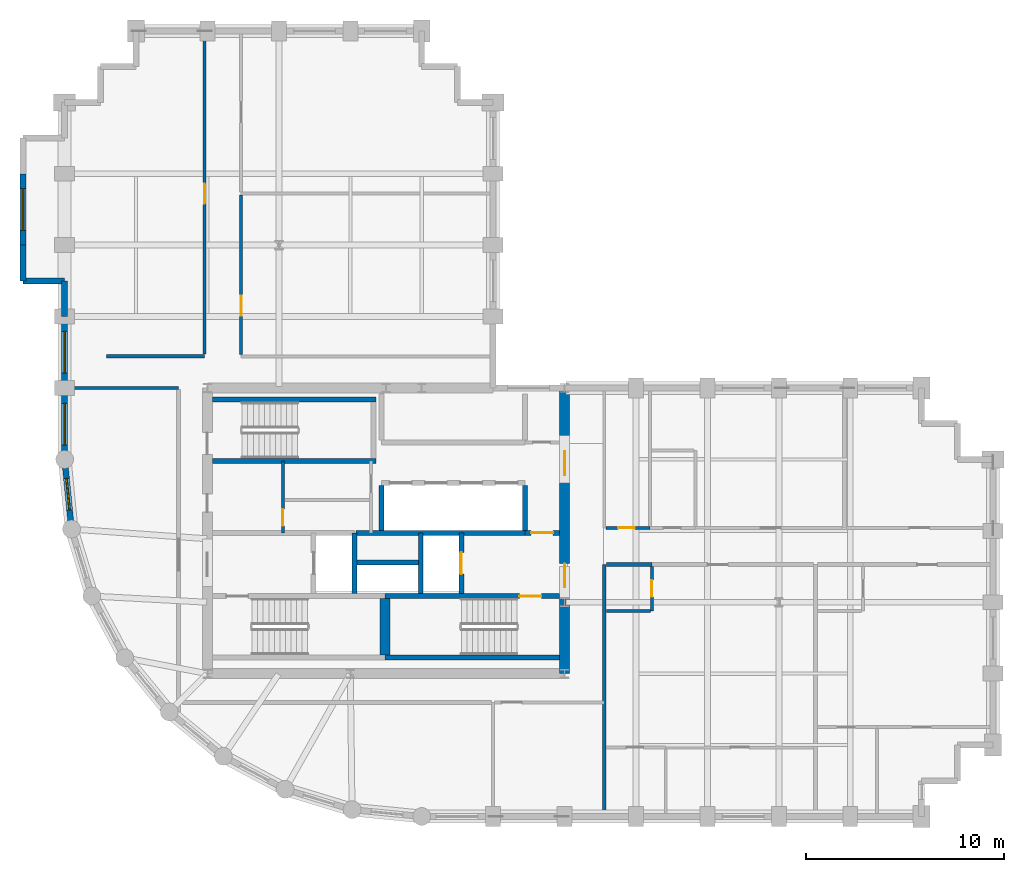
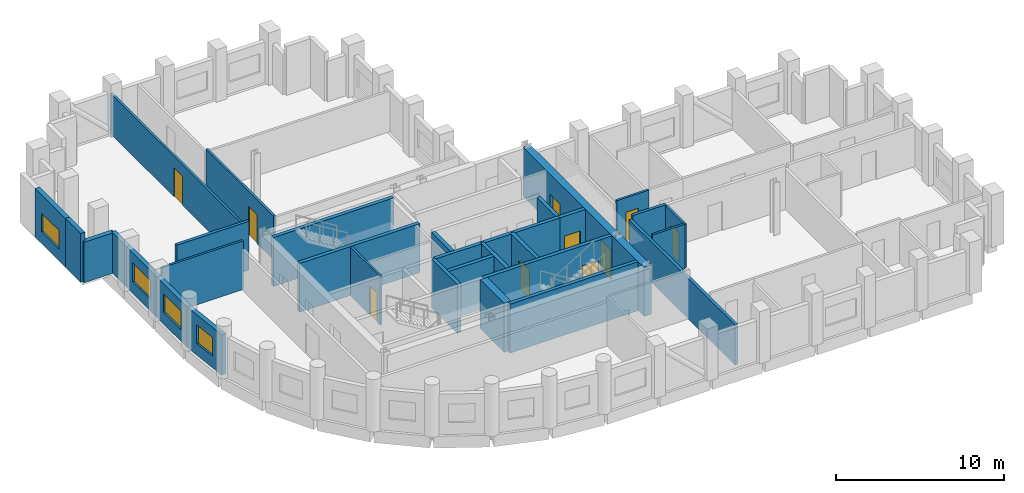
# One storey, part 4 of 8: 31 walls, 10 doors, 4 windows, 14 openings.
"""IFC4 building model written with IfcOpenShell, lengths in metres."""

from ifc_helpers import new_model, si_unit, direction, frame, frame_2d, origin, place, context, subcontext, project, spatial, rectangle, extrude, material, layer, layer_set, type_object, element, fill, save


model = new_model("IFC4")

# Units and contexts
model_context = context("Model", 3, precision=1e-05, world=origin(), true_north=direction((0.0, 1.0)))
body_context = subcontext(model_context, "Body", "Model", "MODEL_VIEW")
ifc_project = project(units=[si_unit("LENGTHUNIT", "METRE"), si_unit("AREAUNIT", "SQUARE_METRE"), si_unit("VOLUMEUNIT", "CUBIC_METRE"), si_unit("PLANEANGLEUNIT", "RADIAN"), si_unit("MASSUNIT", "GRAM", prefix="KILO")], contexts=[model_context])

# Site, building, storey
site_placement = place(None, origin())
site = spatial("IfcSite", under=ifc_project, at=site_placement, CompositionType="ELEMENT")
building_placement = place(site_placement, origin())
building = spatial("IfcBuilding", under=site, at=building_placement, Name="Solnavia Interchange Tower", CompositionType="ELEMENT")
storey_placement = place(building_placement, frame((0.0, 0.0, 161.800048828125)))
storey = spatial("IfcBuildingStorey", under=building, at=storey_placement, Name="L40", CompositionType="ELEMENT", Elevation=161.800048828125)

# Walls
ifc_material_1 = material(Name="Gypsum Acoustic Twin-Stud & Mineral Wool", Category="gypsum")
ifc_layer_1 = layer(ifc_material_1, 0.199951171875)
ifc_layer_set_1 = layer_set([ifc_layer_1], Name="Gypsum Acoustic Twin-Stud & Mineral Wool")
wall_type_1 = type_object("IfcWallType", Name="Wall-ApartmentParty-200", PredefinedType="PARTITIONING", material=ifc_layer_set_1)
wall_1_placement = place(storey_placement, frame((34.39990234375, 3.75390625, 0.0), z_axis=(0.0, 0.0, 1.0), x_axis=(0.0, 1.0, 0.0)))
element("IfcWall", 1, at=wall_1_placement, inside=storey, type_object=wall_type_1, Name="PTW-L40-12 Interior partition wall", PredefinedType="PARTITIONING", context=body_context, shape_type="SweptSolid", body=[
    extrude(rectangle(XDim=12.546142578125, YDim=0.199951171875, at=frame_2d((6.27294921875, 0.0))), origin(), (0.0, 0.0, 1.0), 2.929931640625),
])
wall_2_placement = place(storey_placement, frame((34.50390625, 16.300048828125, 0.0), z_axis=(0.0, 0.0, 1.0), x_axis=(1.0, 0.0, 0.0)))
element("IfcWall", 2, at=wall_2_placement, inside=storey, type_object=wall_type_1, Name="PTW-L40-14 Interior partition wall", PredefinedType="PARTITIONING", context=body_context, shape_type="SweptSolid", body=[
    extrude(rectangle(XDim=2.296142578125, YDim=0.199951171875, at=frame_2d((1.14794921875, 0.0))), origin(), (0.0, 0.0, 1.0), 3.219970703125),
])
wall_3_placement = place(storey_placement, frame((9.300048828125, 26.800048828125, 0.0), z_axis=(0.0, 0.0, 1.0), x_axis=(1.0, 0.0, 0.0)))
element("IfcWall", 3, at=wall_3_placement, inside=storey, type_object=wall_type_1, Name="PTW-L40-31 Interior partition wall", PredefinedType="PARTITIONING", context=body_context, shape_type="SweptSolid", body=[
    extrude(rectangle(XDim=4.949951171875, YDim=0.199951171875, at=frame_2d((2.47509765625, 0.0))), origin(), (0.0, 0.0, 1.0), 3.534912109375),
])

# Wall, opening, window
ifc_material_2 = material(Name="Concrete C40/50", Category="concrete")
ifc_layer_2 = layer(ifc_material_2, 0.300048828125)
ifc_layer_set_2 = layer_set([ifc_layer_2], Name="Concrete C40/50")
wall_type_2 = type_object("IfcWallType", Name="Wall-ExtSpandrel-300", PredefinedType="STANDARD", material=ifc_layer_set_2)
wall_4_placement = place(storey_placement, frame((5.10009765625, 32.39990234375, 0.0), z_axis=(0.0, 0.0, 1.0), x_axis=(0.0, 1.0, 0.0)))
wall_4 = element("IfcWall", 4, at=wall_4_placement, inside=storey, type_object=wall_type_2, Name="EXW-L40-45 Exterior precast spandrel wall", PredefinedType="STANDARD", context=body_context, shape_type="SweptSolid", body=[
    extrude(rectangle(XDim=3.60009765625, YDim=0.300048828125, at=frame_2d((1.800048828125, 0.0))), origin(), (0.0, 0.0, 1.0), 3.534912109375),
])
opening_1_placement = place(wall_4_placement, frame((0.75, 0.0, 0.85009765625)))
opening_1 = element("IfcOpeningElement", 5, at=opening_1_placement, cuts=wall_4, Name="Opening WIN-01", PredefinedType="OPENING", context=body_context, shape_type="SweptSolid", body=[
    extrude(rectangle(XDim=2.10009765625, YDim=1.35009765625, at=frame_2d((1.050048828125, 0.675048828125))), frame((0.0, 0.16015625, 0.0), z_axis=(0.0, -1.0, 0.0), x_axis=(1.0, 0.0, 0.0)), (0.0, 0.0, 1.0), 0.320068359375),
])
ifc_material_3 = material(Name="Thermal-Break Aluminium & Low-E Glass", Category="aluminium")
window_type_1 = type_object("IfcWindowType", Name="Window-Ribbon-2100x1350", PartitioningType="SINGLE_PANEL", PredefinedType="WINDOW", material=ifc_material_3)
window_1_placement = place(opening_1_placement, origin())
window_1 = element("IfcWindow", 6, at=window_1_placement, inside=storey, type_object=window_type_1, Name="WIN-L40-45 Facade ribbon window", OverallHeight=1.35009765625, OverallWidth=2.10009765625, PartitioningType="SINGLE_PANEL", PredefinedType="WINDOW", context=body_context, shape_type="SweptSolid", body=[
    extrude(rectangle(XDim=2.10009765625, YDim=1.35009765625, at=frame_2d((1.050048828125, 0.675048828125))), frame((0.0, 0.030029296875, 0.0), z_axis=(0.0, -1.0, 0.0), x_axis=(1.0, 0.0, 0.0)), (0.0, 0.0, 1.0), 0.06005859375),
])
fill(opening_1, window_1)

# Walls
wall_5_placement = place(storey_placement, frame((5.10009765625, 30.60009765625, 0.0), z_axis=(0.0, 0.0, 1.0), x_axis=(0.0, 1.0, 0.0)))
element("IfcWall", 7, at=wall_5_placement, inside=storey, type_object=wall_type_2, Name="EXW-L40-46 Exterior precast spandrel wall", PredefinedType="STANDARD", context=body_context, shape_type="SweptSolid", body=[
    extrude(rectangle(XDim=1.7998046875, YDim=0.300048828125, at=frame_2d((0.89990234375, 0.0))), origin(), (0.0, 0.0, 1.0), 3.534912109375),
])
wall_6_placement = place(storey_placement, frame((5.10009765625, 30.60009765625, 0.0), z_axis=(0.0, 0.0, 1.0), x_axis=(1.0, 0.0, 0.0)))
element("IfcWall", 8, at=wall_6_placement, inside=storey, type_object=wall_type_2, Name="EXW-L40-47 Exterior precast spandrel wall", PredefinedType="STANDARD", context=body_context, shape_type="SweptSolid", body=[
    extrude(rectangle(XDim=2.099853515625, YDim=0.300048828125, at=frame_2d((1.0498046875, 0.0))), origin(), (0.0, 0.0, 1.0), 2.929931640625),
])
wall_7_placement = place(storey_placement, frame((7.199951171875, 28.800048828125, 0.0), z_axis=(0.0, 0.0, 1.0), x_axis=(0.0, 1.0, 0.0)))
element("IfcWall", 9, at=wall_7_placement, inside=storey, type_object=wall_type_2, Name="EXW-L40-48 Exterior precast spandrel wall", PredefinedType="STANDARD", context=body_context, shape_type="SweptSolid", body=[
    extrude(rectangle(XDim=1.800048828125, YDim=0.300048828125, at=frame_2d((0.89990234375, 0.0))), origin(), (0.0, 0.0, 1.0), 2.929931640625),
])

# Wall, opening, window
wall_8_placement = place(storey_placement, frame((7.199951171875, 25.199951171875, 0.0), z_axis=(0.0, 0.0, 1.0), x_axis=(0.0, 1.0, 0.0)))
wall_8 = element("IfcWall", 10, at=wall_8_placement, inside=storey, type_object=wall_type_2, Name="EXW-L40-49 Exterior precast spandrel wall", PredefinedType="STANDARD", context=body_context, shape_type="SweptSolid", body=[
    extrude(rectangle(XDim=3.60009765625, YDim=0.300048828125, at=frame_2d((1.800048828125, 0.0))), origin(), (0.0, 0.0, 1.0), 2.929931640625),
])
opening_2_placement = place(wall_8_placement, frame((0.75, 0.0, 0.85009765625)))
opening_2 = element("IfcOpeningElement", 11, at=opening_2_placement, cuts=wall_8, Name="Opening WIN-01", PredefinedType="OPENING", context=body_context, shape_type="SweptSolid", body=[
    extrude(rectangle(XDim=2.10009765625, YDim=1.35009765625, at=frame_2d((1.050048828125, 0.675048828125))), frame((0.0, 0.16015625, 0.0), z_axis=(0.0, -1.0, 0.0), x_axis=(1.0, 0.0, 0.0)), (0.0, 0.0, 1.0), 0.320068359375),
])
window_2_placement = place(opening_2_placement, origin())
window_2 = element("IfcWindow", 12, at=window_2_placement, inside=storey, type_object=window_type_1, Name="WIN-L40-49 Facade ribbon window", OverallHeight=1.35009765625, OverallWidth=2.10009765625, PartitioningType="SINGLE_PANEL", PredefinedType="WINDOW", context=body_context, shape_type="SweptSolid", body=[
    extrude(rectangle(XDim=2.10009765625, YDim=1.35009765625, at=frame_2d((1.050048828125, 0.675048828125))), frame((0.0, 0.030029296875, 0.0), z_axis=(0.0, -1.0, 0.0), x_axis=(1.0, 0.0, 0.0)), (0.0, 0.0, 1.0), 0.06005859375),
])
fill(opening_2, window_2)

wall_9_placement = place(storey_placement, frame((7.199951171875, 21.60009765625, 0.0), z_axis=(0.0, 0.0, 1.0), x_axis=(0.0, 1.0, 0.0)))
wall_9 = element("IfcWall", 13, at=wall_9_placement, inside=storey, type_object=wall_type_2, Name="EXW-L40-50 Exterior precast spandrel wall", PredefinedType="STANDARD", context=body_context, shape_type="SweptSolid", body=[
    extrude(rectangle(XDim=3.599853515625, YDim=0.300048828125, at=frame_2d((1.7998046875, 0.0))), origin(), (0.0, 0.0, 1.0), 2.929931640625),
])
opening_3_placement = place(wall_9_placement, frame((0.72509765625, 0.0, 0.85009765625)))
opening_3 = element("IfcOpeningElement", 14, at=opening_3_placement, cuts=wall_9, Name="Opening WIN-01", PredefinedType="OPENING", context=body_context, shape_type="SweptSolid", body=[
    extrude(rectangle(XDim=2.10009765625, YDim=1.35009765625, at=frame_2d((1.050048828125, 0.675048828125))), frame((0.0, 0.16015625, 0.0), z_axis=(0.0, -1.0, 0.0), x_axis=(1.0, 0.0, 0.0)), (0.0, 0.0, 1.0), 0.320068359375),
])
window_3_placement = place(opening_3_placement, origin())
window_3 = element("IfcWindow", 15, at=window_3_placement, inside=storey, type_object=window_type_1, Name="WIN-L40-50 Facade ribbon window", OverallHeight=1.35009765625, OverallWidth=2.10009765625, PartitioningType="SINGLE_PANEL", PredefinedType="WINDOW", context=body_context, shape_type="SweptSolid", body=[
    extrude(rectangle(XDim=2.10009765625, YDim=1.35009765625, at=frame_2d((1.050048828125, 0.675048828125))), frame((0.0, 0.030029296875, 0.0), z_axis=(0.0, -1.0, 0.0), x_axis=(1.0, 0.0, 0.0)), (0.0, 0.0, 1.0), 0.06005859375),
])
fill(opening_3, window_3)

wall_10_placement = place(storey_placement, frame((7.5458984375, 18.087890625, 0.0), z_axis=(0.0, 0.0, 1.0), x_axis=(-0.09802417461, 0.995184033831, 0.0)))
wall_10 = element("IfcWall", 16, at=wall_10_placement, inside=storey, type_object=wall_type_2, Name="EXW-L40-51 Exterior precast spandrel wall", PredefinedType="STANDARD", context=body_context, shape_type="SweptSolid", body=[
    extrude(rectangle(XDim=3.529296875, YDim=0.300048828125, at=frame_2d((1.7646484375, 0.0))), origin(), (0.0, 0.0, 1.0), 2.929931640625),
])
opening_4_placement = place(wall_10_placement, frame((0.965087890625, 0.0, 0.85009765625)))
opening_4 = element("IfcOpeningElement", 17, at=opening_4_placement, cuts=wall_10, Name="Opening WIN-04", PredefinedType="OPENING", context=body_context, shape_type="SweptSolid", body=[
    extrude(rectangle(XDim=1.60009765625, YDim=1.35009765625, at=frame_2d((0.800048828125, 0.675048828125))), frame((0.0, 0.16015625, 0.0), z_axis=(0.0, -1.0, 0.0), x_axis=(1.0, 0.0, 0.0)), (0.0, 0.0, 1.0), 0.320068359375),
])
window_type_2 = type_object("IfcWindowType", Name="Window-Drum-1600x1350", PartitioningType="SINGLE_PANEL", PredefinedType="WINDOW", material=ifc_material_3)
window_4_placement = place(opening_4_placement, origin())
window_4 = element("IfcWindow", 18, at=window_4_placement, inside=storey, type_object=window_type_2, Name="WIN-L40-51 Facade ribbon window", OverallHeight=1.35009765625, OverallWidth=1.60009765625, PartitioningType="SINGLE_PANEL", PredefinedType="WINDOW", context=body_context, shape_type="SweptSolid", body=[
    extrude(rectangle(XDim=1.60009765625, YDim=1.35009765625, at=frame_2d((0.800048828125, 0.675048828125))), frame((0.0, 0.030029296875, 0.0), z_axis=(0.0, -1.0, 0.0), x_axis=(1.0, 0.0, 0.0)), (0.0, 0.0, 1.0), 0.06005859375),
])
fill(opening_4, window_4)

# Wall, opening, door
ifc_material_4 = material(Name="Gypsum Plasterboard & Steel Stud", Category="steel")
ifc_layer_3 = layer(ifc_material_4, 0.14990234375)
ifc_layer_set_3 = layer_set([ifc_layer_3], Name="Gypsum Plasterboard & Steel Stud")
wall_type_3 = type_object("IfcWallType", Name="Wall-Partition-150", PredefinedType="PARTITIONING", material=ifc_layer_set_3)
wall_11_placement = place(storey_placement, frame((18.199951171875, 17.89990234375, 0.0), z_axis=(0.0, 0.0, 1.0), x_axis=(0.0, 1.0, 0.0)))
wall_11 = element("IfcWall", 19, at=wall_11_placement, inside=storey, type_object=wall_type_3, Name="CSW-L40-M1 Core shaft wall", PredefinedType="PARTITIONING", context=body_context, shape_type="SweptSolid", body=[
    extrude(rectangle(XDim=3.625, YDim=0.14990234375, at=frame_2d((1.8125, 0.0))), origin(), (0.0, 0.0, 1.0), 3.534912109375),
])
opening_5_placement = place(wall_11_placement, frame((0.35009765625, 0.0, 0.0)))
opening_5 = element("IfcOpeningElement", 20, at=opening_5_placement, cuts=wall_11, Name="Opening DR-10", PredefinedType="OPENING", context=body_context, shape_type="SweptSolid", body=[
    extrude(rectangle(XDim=0.85009765625, YDim=2.10009765625, at=frame_2d((0.425048828125, 1.050048828125))), frame((0.0, 0.0849609375, 0.0), z_axis=(0.0, -1.0, 0.0), x_axis=(1.0, 0.0, 0.0)), (0.0, 0.0, 1.0), 0.169921875),
])
ifc_material_5 = material(Name="Moisture-Resistant Timber Door", Category="wood")
door_type_1 = type_object("IfcDoorType", Name="Door-Bathroom-850x2100", OperationType="SINGLE_SWING_RIGHT", PredefinedType="DOOR", material=ifc_material_5)
door_1_placement = place(opening_5_placement, origin())
door_1 = element("IfcDoor", 21, at=door_1_placement, inside=storey, type_object=door_type_1, Name="DR-L40-CS2 Core fire door", OperationType="SINGLE_SWING_LEFT", OverallHeight=2.10009765625, OverallWidth=0.85009765625, PredefinedType="DOOR", context=body_context, shape_type="SweptSolid", body=[
    extrude(rectangle(XDim=0.85009765625, YDim=2.10009765625, at=frame_2d((0.425048828125, 1.050048828125))), frame((0.0, 0.02490234375, 0.0), z_axis=(0.0, -1.0, 0.0), x_axis=(1.0, 0.0, 0.0)), (0.0, 0.0, 1.0), 0.050048828125),
])
fill(opening_5, door_1)

# Wall
wall_12_placement = place(storey_placement, frame((7.35400390625, 25.199951171875, 0.0), z_axis=(0.0, 0.0, 1.0), x_axis=(1.0, 0.0, 0.0)))
element("IfcWall", 22, at=wall_12_placement, inside=storey, type_object=wall_type_3, Name="PTW-L40-07 Interior partition wall", PredefinedType="PARTITIONING", context=body_context, shape_type="SweptSolid", body=[
    extrude(rectangle(XDim=5.595947265625, YDim=0.14990234375, at=frame_2d((2.7978515625, 0.0))), origin(), (0.0, 0.0, 1.0), 3.534912109375),
])

# Wall, opening, door
wall_13_placement = place(storey_placement, frame((14.25, 26.904052734375, 0.0), z_axis=(0.0, 0.0, 1.0), x_axis=(0.0, 1.0, 0.0)))
wall_13 = element("IfcWall", 23, at=wall_13_placement, inside=storey, type_object=wall_type_3, Name="PTW-L40-32 Interior partition wall", PredefinedType="PARTITIONING", context=body_context, shape_type="SweptSolid", body=[
    extrude(rectangle(XDim=16.141845703125, YDim=0.14990234375, at=frame_2d((8.07080078125, 0.0))), origin(), (0.0, 0.0, 1.0), 2.929931640625),
])
opening_6_placement = place(wall_13_placement, frame((7.595947265625, 0.0, 0.0)))
opening_6 = element("IfcOpeningElement", 24, at=opening_6_placement, cuts=wall_13, Name="Opening DR-07", PredefinedType="OPENING", context=body_context, shape_type="SweptSolid", body=[
    extrude(rectangle(XDim=1.0, YDim=2.10009765625, at=frame_2d((0.5, 1.050048828125))), frame((0.0, 0.0849609375, 0.0), z_axis=(0.0, -1.0, 0.0), x_axis=(1.0, 0.0, 0.0)), (0.0, 0.0, 1.0), 0.169921875),
])
ifc_material_6 = material(Name="Timber & Acoustic Glazed Office Door", Category="wood")
door_type_2 = type_object("IfcDoorType", Name="Door-Office-1000x2100", OperationType="SINGLE_SWING_RIGHT", PredefinedType="DOOR", material=ifc_material_6)
door_2_placement = place(opening_6_placement, origin())
door_2 = element("IfcDoor", 25, at=door_2_placement, inside=storey, type_object=door_type_2, Name="DR-L40-15 Interior room door", OperationType="SINGLE_SWING_RIGHT", OverallHeight=2.10009765625, OverallWidth=1.0, PredefinedType="DOOR", context=body_context, shape_type="SweptSolid", body=[
    extrude(rectangle(XDim=1.0, YDim=2.10009765625, at=frame_2d((0.5, 1.050048828125))), frame((0.0, 0.02490234375, 0.0), z_axis=(0.0, -1.0, 0.0), x_axis=(1.0, 0.0, 0.0)), (0.0, 0.0, 1.0), 0.050048828125),
])
fill(opening_6, door_2)

wall_14_placement = place(storey_placement, frame((16.10009765625, 26.87890625, 0.0), z_axis=(0.0, 0.0, 1.0), x_axis=(0.0, 1.0, 0.0)))
wall_14 = element("IfcWall", 26, at=wall_14_placement, inside=storey, type_object=wall_type_3, Name="PTW-L40-35 Interior partition wall", PredefinedType="PARTITIONING", context=body_context, shape_type="SweptSolid", body=[
    extrude(rectangle(XDim=8.0419921875, YDim=0.14990234375, at=frame_2d((4.02099609375, 0.0))), origin(), (0.0, 0.0, 1.0), 3.169921875),
])
opening_7_placement = place(wall_14_placement, frame((1.9609375, 0.0, 0.0)))
opening_7 = element("IfcOpeningElement", 27, at=opening_7_placement, cuts=wall_14, Name="Opening DR-07", PredefinedType="OPENING", context=body_context, shape_type="SweptSolid", body=[
    extrude(rectangle(XDim=1.0, YDim=2.10009765625, at=frame_2d((0.5, 1.050048828125))), frame((0.0, 0.0849609375, 0.0), z_axis=(0.0, -1.0, 0.0), x_axis=(1.0, 0.0, 0.0)), (0.0, 0.0, 1.0), 0.169921875),
])
door_3_placement = place(opening_7_placement, origin())
door_3 = element("IfcDoor", 28, at=door_3_placement, inside=storey, type_object=door_type_2, Name="DR-L40-16 Interior room door", OperationType="SINGLE_SWING_LEFT", OverallHeight=2.10009765625, OverallWidth=1.0, PredefinedType="DOOR", context=body_context, shape_type="SweptSolid", body=[
    extrude(rectangle(XDim=1.0, YDim=2.10009765625, at=frame_2d((0.5, 1.050048828125))), frame((0.0, 0.02490234375, 0.0), z_axis=(0.0, -1.0, 0.0), x_axis=(1.0, 0.0, 0.0)), (0.0, 0.0, 1.0), 0.050048828125),
])
fill(opening_7, door_3)

# Wall
ifc_layer_4 = layer(ifc_material_2, 0.25)
ifc_layer_set_4 = layer_set([ifc_layer_4], Name="Concrete C40/50")
wall_type_4 = type_object("IfcWallType", Name="Wall-ShaftCore-250", PredefinedType="SHEAR", material=ifc_layer_set_4)
wall_15_placement = place(storey_placement, frame((23.35009765625, 11.625, 0.0), z_axis=(0.0, 0.0, 1.0), x_axis=(1.0, 0.0, 0.0)))
element("IfcWall", 29, at=wall_15_placement, inside=storey, type_object=wall_type_4, Name="SHW-L40-ST2S Core shear wall", PredefinedType="SHEAR", context=body_context, shape_type="SweptSolid", body=[
    extrude(rectangle(XDim=8.7998046875, YDim=0.25, at=frame_2d((4.39990234375, 0.0))), origin(), (0.0, 0.0, 1.0), 3.550048828125),
])

# Wall, opening, door
wall_16_placement = place(storey_placement, frame((23.35009765625, 14.715087890625, 0.0), z_axis=(0.0, 0.0, 1.0), x_axis=(1.0, 0.0, 0.0)))
wall_16 = element("IfcWall", 30, at=wall_16_placement, inside=storey, type_object=wall_type_4, Name="SHW-L40-ST2N Core shear wall", PredefinedType="SHEAR", context=body_context, shape_type="SweptSolid", body=[
    extrude(rectangle(XDim=8.7998046875, YDim=0.25, at=frame_2d((4.39990234375, 0.0))), origin(), (0.0, 0.0, 1.0), 3.550048828125),
])
opening_8_placement = place(wall_16_placement, frame((6.77490234375, 0.0, 0.0)))
opening_8 = element("IfcOpeningElement", 31, at=opening_8_placement, cuts=wall_16, Name="Opening DR-01", PredefinedType="OPENING", context=body_context, shape_type="SweptSolid", body=[
    extrude(rectangle(XDim=1.10009765625, YDim=2.10009765625, at=frame_2d((0.550048828125, 1.050048828125))), frame((0.0, 0.135009765625, 0.0), z_axis=(0.0, -1.0, 0.0), x_axis=(1.0, 0.0, 0.0)), (0.0, 0.0, 1.0), 0.27001953125),
])
ifc_material_7 = material(Name="Steel Fire-Rated Leaf & Frame", Category="steel")
door_type_3 = type_object("IfcDoorType", Name="Door-StairFire-1100x2100", OperationType="SINGLE_SWING_LEFT", PredefinedType="DOOR", material=ifc_material_7)
door_4_placement = place(opening_8_placement, origin())
door_4 = element("IfcDoor", 32, at=door_4_placement, inside=storey, type_object=door_type_3, Name="DR-L40-ST2 Core fire door", OperationType="SINGLE_SWING_LEFT", OverallHeight=2.10009765625, OverallWidth=1.10009765625, PredefinedType="DOOR", context=body_context, shape_type="SweptSolid", body=[
    extrude(rectangle(XDim=1.10009765625, YDim=2.10009765625, at=frame_2d((0.550048828125, 1.050048828125))), frame((0.0, 0.02490234375, 0.0), z_axis=(0.0, -1.0, 0.0), x_axis=(1.0, 0.0, 0.0)), (0.0, 0.0, 1.0), 0.050048828125),
])
fill(opening_8, door_4)

# Walls
for number, where, z_axis, x_axis, name in (
    (33, (14.64990234375, 21.52490234375, 0.0), (0.0, 0.0, 1.0), (1.0, 0.0, 0.0), "SHW-L40-ST3S Core shear wall"),
    (34, (14.64990234375, 24.614990234375, 0.0), (0.0, 0.0, 1.0), (1.0, 0.0, 0.0), "SHW-L40-ST3N Core shear wall"),
):
    element("IfcWall", number, at=place(storey_placement, frame(where, z_axis=z_axis, x_axis=x_axis)), inside=storey, type_object=wall_type_4, Name=name, PredefinedType="SHEAR", context=body_context, shape_type="SweptSolid", body=[
        extrude(rectangle(XDim=8.25, YDim=0.25, at=frame_2d((4.125, 0.0))), origin(), (0.0, 0.0, 1.0), 3.550048828125),
    ])
ifc_layer_5 = layer(ifc_material_2, 0.25)
ifc_layer_set_5 = layer_set([ifc_layer_5], Name="Concrete C40/50")
wall_type_5 = type_object("IfcWallType", Name="Wall-ShaftPart-250", PredefinedType="PARTITIONING", material=ifc_layer_set_5)
wall_17_placement = place(storey_placement, frame((21.800048828125, 14.840087890625, 0.0), z_axis=(0.0, 0.0, 1.0), x_axis=(0.0, 1.0, 0.0)))
element("IfcWall", 35, at=wall_17_placement, inside=storey, type_object=wall_type_5, Name="SHW-L40-FFL1-E Core shaft wall", PredefinedType="PARTITIONING", context=body_context, shape_type="SweptSolid", body=[
    extrude(rectangle(XDim=3.059814453125, YDim=0.25, at=frame_2d((1.52978515625, 0.0))), origin(), (0.0, 0.0, 1.0), 3.534912109375),
])
wall_18_placement = place(storey_placement, frame((21.8798828125, 17.89990234375, 0.0), z_axis=(0.0, 0.0, 1.0), x_axis=(1.0, 0.0, 0.0)))
element("IfcWall", 36, at=wall_18_placement, inside=storey, type_object=wall_type_5, Name="SHW-L40-FFLE-N1 Core shaft wall", PredefinedType="PARTITIONING", context=body_context, shape_type="SweptSolid", body=[
    extrude(rectangle(XDim=8.52001953125, YDim=0.25, at=frame_2d((4.260009765625, 0.0))), origin(), (0.0, 0.0, 1.0), 3.534912109375),
])

# Wall, opening, door
wall_19_placement = place(storey_placement, frame((30.39990234375, 17.89990234375, 0.0), z_axis=(0.0, 0.0, 1.0), x_axis=(1.0, 0.0, 0.0)))
wall_19 = element("IfcWall", 37, at=wall_19_placement, inside=storey, type_object=wall_type_5, Name="SHW-L40-FFLE-N2 Core shaft wall", PredefinedType="PARTITIONING", context=body_context, shape_type="SweptSolid", body=[
    extrude(rectangle(XDim=1.75, YDim=0.25, at=frame_2d((0.875, 0.0))), origin(), (0.0, 0.0, 1.0), 3.534912109375),
])
opening_9_placement = place(wall_19_placement, frame((0.320068359375, 0.0, 0.0)))
opening_9 = element("IfcOpeningElement", 38, at=opening_9_placement, cuts=wall_19, Name="Opening DR-01", PredefinedType="OPENING", context=body_context, shape_type="SweptSolid", body=[
    extrude(rectangle(XDim=1.10009765625, YDim=2.10009765625, at=frame_2d((0.550048828125, 1.050048828125))), frame((0.0, 0.135009765625, 0.0), z_axis=(0.0, -1.0, 0.0), x_axis=(1.0, 0.0, 0.0)), (0.0, 0.0, 1.0), 0.27001953125),
])
door_5_placement = place(opening_9_placement, origin())
door_5 = element("IfcDoor", 39, at=door_5_placement, inside=storey, type_object=door_type_3, Name="DR-L40-LLC Core fire door", OperationType="SINGLE_SWING_LEFT", OverallHeight=2.10009765625, OverallWidth=1.10009765625, PredefinedType="DOOR", context=body_context, shape_type="SweptSolid", body=[
    extrude(rectangle(XDim=1.10009765625, YDim=2.10009765625, at=frame_2d((0.550048828125, 1.050048828125))), frame((0.0, 0.02490234375, 0.0), z_axis=(0.0, -1.0, 0.0), x_axis=(1.0, 0.0, 0.0)), (0.0, 0.0, 1.0), 0.050048828125),
])
fill(opening_9, door_5)

# Wall
wall_20_placement = place(storey_placement, frame((25.14990234375, 14.840087890625, 0.0), z_axis=(0.0, 0.0, 1.0), x_axis=(0.0, 1.0, 0.0)))
element("IfcWall", 40, at=wall_20_placement, inside=storey, type_object=wall_type_5, Name="SHW-L40-FFL2-W Core shaft wall", PredefinedType="PARTITIONING", context=body_context, shape_type="SweptSolid", body=[
    extrude(rectangle(XDim=3.059814453125, YDim=0.25, at=frame_2d((1.52978515625, 0.0))), origin(), (0.0, 0.0, 1.0), 3.534912109375),
])

# Wall, opening, door
wall_21_placement = place(storey_placement, frame((27.199951171875, 14.840087890625, 0.0), z_axis=(0.0, 0.0, 1.0), x_axis=(0.0, 1.0, 0.0)))
wall_21 = element("IfcWall", 41, at=wall_21_placement, inside=storey, type_object=wall_type_5, Name="SHW-L40-FFL2-E Core shaft wall", PredefinedType="PARTITIONING", context=body_context, shape_type="SweptSolid", body=[
    extrude(rectangle(XDim=3.059814453125, YDim=0.25, at=frame_2d((1.52978515625, 0.0))), origin(), (0.0, 0.0, 1.0), 3.534912109375),
])
opening_10_placement = place(wall_21_placement, frame((0.97998046875, 0.0, 0.0)))
opening_10 = element("IfcOpeningElement", 42, at=opening_10_placement, cuts=wall_21, Name="Opening LD-01", PredefinedType="OPENING", context=body_context, shape_type="SweptSolid", body=[
    extrude(rectangle(XDim=1.10009765625, YDim=2.10009765625, at=frame_2d((0.550048828125, 1.050048828125))), frame((0.0, 0.135009765625, 0.0), z_axis=(0.0, -1.0, 0.0), x_axis=(1.0, 0.0, 0.0)), (0.0, 0.0, 1.0), 0.27001953125),
])
ifc_material_8 = material(Name="Brushed Stainless Steel Sliding Door", Category="steel")
door_type_4 = type_object("IfcDoorType", Name="Door-LiftLanding-1100x2100", OperationType="SLIDING_TO_LEFT", PredefinedType="DOOR", material=ifc_material_8)
door_6_placement = place(opening_10_placement, origin())
door_6 = element("IfcDoor", 43, at=door_6_placement, inside=storey, type_object=door_type_4, Name="LD-L40-FFL2 Lift landing sliding door", OperationType="SLIDING_TO_LEFT", OverallHeight=2.10009765625, OverallWidth=1.10009765625, PredefinedType="DOOR", context=body_context, shape_type="SweptSolid", body=[
    extrude(rectangle(XDim=1.10009765625, YDim=2.10009765625, at=frame_2d((0.550048828125, 1.050048828125))), frame((0.0, 0.02490234375, 0.0), z_axis=(0.0, -1.0, 0.0), x_axis=(1.0, 0.0, 0.0)), (0.0, 0.0, 1.0), 0.050048828125),
])
fill(opening_10, door_6)

# Walls
wall_22_placement = place(storey_placement, frame((21.800048828125, 16.39990234375, 0.0), z_axis=(0.0, 0.0, 1.0), x_axis=(1.0, 0.0, 0.0)))
element("IfcWall", 44, at=wall_22_placement, inside=storey, type_object=wall_type_5, Name="SHW-L40-MEP-N Core shaft wall", PredefinedType="PARTITIONING", context=body_context, shape_type="SweptSolid", body=[
    extrude(rectangle(XDim=3.349853515625, YDim=0.25, at=frame_2d((1.6748046875, 0.0))), origin(), (0.0, 0.0, 1.0), 3.534912109375),
])
for number, where, z_axis, x_axis, name in (
    (45, (23.179931640625, 18.02490234375, 0.0), (0.0, 0.0, 1.0), (0.0, 1.0, 0.0), "SHW-L40-B2W Core shaft wall"),
    (46, (30.39990234375, 18.02490234375, 0.0), (0.0, 0.0, 1.0), (0.0, 1.0, 0.0), "SHW-L40-B2E Core shaft wall"),
):
    element("IfcWall", number, at=place(storey_placement, frame(where, z_axis=z_axis, x_axis=x_axis)), inside=storey, type_object=wall_type_5, Name=name, PredefinedType="PARTITIONING", context=body_context, shape_type="SweptSolid", body=[
        extrude(rectangle(XDim=2.27001953125, YDim=0.25, at=frame_2d((1.135009765625, 0.0))), origin(), (0.0, 0.0, 1.0), 3.534912109375),
    ])

# Wall, openings, doors
ifc_material_9 = material(Name="Concrete C60/75", Category="concrete")
ifc_layer_6 = layer(ifc_material_9, 0.5)
ifc_layer_set_6 = layer_set([ifc_layer_6], Name="Concrete C60/75")
wall_type_6 = type_object("IfcWallType", Name="Wall-ShearCore-500", PredefinedType="SHEAR", material=ifc_layer_set_6)
wall_23_placement = place(storey_placement, frame((32.39990234375, 10.800048828125, 0.0), z_axis=(0.0, 0.0, 1.0), x_axis=(0.0, 1.0, 0.0)))
wall_23 = element("IfcWall", 47, at=wall_23_placement, inside=storey, type_object=wall_type_6, Name="CRW-L40-E Core shear wall", PredefinedType="SHEAR", context=body_context, shape_type="SweptSolid", body=[
    extrude(rectangle(XDim=14.39990234375, YDim=0.5, at=frame_2d((7.199951171875, 0.0))), origin(), (0.0, 0.0, 1.0), 3.550048828125),
])
opening_11_placement = place(wall_23_placement, frame((4.35009765625, 0.0, 0.0)))
opening_11 = element("IfcOpeningElement", 48, at=opening_11_placement, cuts=wall_23, Name="Opening DR-02", PredefinedType="OPENING", context=body_context, shape_type="SweptSolid", body=[
    extrude(rectangle(XDim=1.199951171875, YDim=2.10009765625, at=frame_2d((0.60009765625, 1.050048828125))), frame((0.0, 0.260009765625, 0.0), z_axis=(0.0, -1.0, 0.0), x_axis=(1.0, 0.0, 0.0)), (0.0, 0.0, 1.0), 0.52001953125),
])
opening_12_placement = place(wall_23_placement, frame((10.0, 0.0, 0.0)))
opening_12 = element("IfcOpeningElement", 49, at=opening_12_placement, cuts=wall_23, Name="Opening DR-02", PredefinedType="OPENING", context=body_context, shape_type="SweptSolid", body=[
    extrude(rectangle(XDim=1.199951171875, YDim=2.10009765625, at=frame_2d((0.60009765625, 1.050048828125))), frame((0.0, 0.260009765625, 0.0), z_axis=(0.0, -1.0, 0.0), x_axis=(1.0, 0.0, 0.0)), (0.0, 0.0, 1.0), 0.52001953125),
])
ifc_material_10 = material(Name="Steel Fire-Rated Vision-Panel Door", Category="steel")
door_type_5 = type_object("IfcDoorType", Name="Door-LobbyFire-1200x2100", OperationType="SINGLE_SWING_RIGHT", PredefinedType="DOOR", material=ifc_material_10)
door_7_placement = place(opening_11_placement, origin())
door_7 = element("IfcDoor", 50, at=door_7_placement, inside=storey, type_object=door_type_5, Name="DR-L40-FFL2E Core fire door", OperationType="SINGLE_SWING_LEFT", OverallHeight=2.10009765625, OverallWidth=1.199951171875, PredefinedType="DOOR", context=body_context, shape_type="SweptSolid", body=[
    extrude(rectangle(XDim=1.199951171875, YDim=2.10009765625, at=frame_2d((0.60009765625, 1.050048828125))), frame((0.0, 0.02490234375, 0.0), z_axis=(0.0, -1.0, 0.0), x_axis=(1.0, 0.0, 0.0)), (0.0, 0.0, 1.0), 0.050048828125),
])
fill(opening_11, door_7)
door_8_placement = place(opening_12_placement, origin())
door_8 = element("IfcDoor", 51, at=door_8_placement, inside=storey, type_object=door_type_5, Name="DR-L40-LLE Core fire door", OperationType="SINGLE_SWING_RIGHT", OverallHeight=2.10009765625, OverallWidth=1.199951171875, PredefinedType="DOOR", context=body_context, shape_type="SweptSolid", body=[
    extrude(rectangle(XDim=1.199951171875, YDim=2.10009765625, at=frame_2d((0.60009765625, 1.050048828125))), frame((0.0, 0.02490234375, 0.0), z_axis=(0.0, -1.0, 0.0), x_axis=(1.0, 0.0, 0.0)), (0.0, 0.0, 1.0), 0.050048828125),
])
fill(opening_12, door_8)

# Wall
wall_24_placement = place(storey_placement, frame((23.35009765625, 11.75, 0.0), z_axis=(0.0, 0.0, 1.0), x_axis=(0.0, 1.0, 0.0)))
element("IfcWall", 52, at=wall_24_placement, inside=storey, type_object=wall_type_6, Name="SHW-L40-ST12M Core shear wall", PredefinedType="SHEAR", context=body_context, shape_type="SweptSolid", body=[
    extrude(rectangle(XDim=2.840087890625, YDim=0.5, at=frame_2d((1.419921875, 0.0))), origin(), (0.0, 0.0, 1.0), 3.550048828125),
])

# Wall, opening, door
ifc_material_11 = material(Name="Moisture-Resistant Gypsum & Steel Stud", Category="steel")
ifc_layer_7 = layer(ifc_material_11, 0.14990234375)
ifc_layer_set_7 = layer_set([ifc_layer_7], Name="Moisture-Resistant Gypsum & Steel Stud")
wall_type_7 = type_object("IfcWallType", Name="Wall-WetRoom-150", PredefinedType="PARTITIONING", material=ifc_layer_set_7)
wall_25_placement = place(storey_placement, frame((34.47900390625, 18.14990234375, 0.0), z_axis=(0.0, 0.0, 1.0), x_axis=(1.0, 0.0, 0.0)))
wall_25 = element("IfcWall", 53, at=wall_25_placement, inside=storey, type_object=wall_type_7, Name="PTW-L40-02 Interior partition wall", PredefinedType="PARTITIONING", context=body_context, shape_type="SweptSolid", body=[
    extrude(rectangle(XDim=2.220947265625, YDim=0.14990234375, at=frame_2d((1.1103515625, 0.0))), origin(), (0.0, 0.0, 1.0), 3.169921875),
])
opening_13_placement = place(wall_25_placement, frame((0.617919921875, 0.0, 0.0)))
opening_13 = element("IfcOpeningElement", 54, at=opening_13_placement, cuts=wall_25, Name="Opening DR-10", PredefinedType="OPENING", context=body_context, shape_type="SweptSolid", body=[
    extrude(rectangle(XDim=0.85009765625, YDim=2.10009765625, at=frame_2d((0.425048828125, 1.050048828125))), frame((0.0, 0.0849609375, 0.0), z_axis=(0.0, -1.0, 0.0), x_axis=(1.0, 0.0, 0.0)), (0.0, 0.0, 1.0), 0.169921875),
])
door_9_placement = place(opening_13_placement, origin())
door_9 = element("IfcDoor", 55, at=door_9_placement, inside=storey, type_object=door_type_1, Name="DR-L40-01 Interior room door", OperationType="SINGLE_SWING_LEFT", OverallHeight=2.10009765625, OverallWidth=0.85009765625, PredefinedType="DOOR", context=body_context, shape_type="SweptSolid", body=[
    extrude(rectangle(XDim=0.85009765625, YDim=2.10009765625, at=frame_2d((0.425048828125, 1.050048828125))), frame((0.0, 0.02490234375, 0.0), z_axis=(0.0, -1.0, 0.0), x_axis=(1.0, 0.0, 0.0)), (0.0, 0.0, 1.0), 0.050048828125),
])
fill(opening_13, door_9)

wall_26_placement = place(storey_placement, frame((36.800048828125, 13.949951171875, 0.0), z_axis=(0.0, 0.0, 1.0), x_axis=(0.0, 1.0, 0.0)))
wall_26 = element("IfcWall", 56, at=wall_26_placement, inside=storey, type_object=wall_type_7, Name="PTW-L40-15 Interior partition wall", PredefinedType="PARTITIONING", context=body_context, shape_type="SweptSolid", body=[
    extrude(rectangle(XDim=2.24609375, YDim=0.14990234375, at=frame_2d((1.123046875, 0.0))), origin(), (0.0, 0.0, 1.0), 3.169921875),
])
opening_14_placement = place(wall_26_placement, frame((0.719970703125, 0.0, 0.0)))
opening_14 = element("IfcOpeningElement", 57, at=opening_14_placement, cuts=wall_26, Name="Opening DR-10", PredefinedType="OPENING", context=body_context, shape_type="SweptSolid", body=[
    extrude(rectangle(XDim=0.85009765625, YDim=2.10009765625, at=frame_2d((0.425048828125, 1.050048828125))), frame((0.0, 0.0849609375, 0.0), z_axis=(0.0, -1.0, 0.0), x_axis=(1.0, 0.0, 0.0)), (0.0, 0.0, 1.0), 0.169921875),
])
door_10_placement = place(opening_14_placement, origin())
door_10 = element("IfcDoor", 58, at=door_10_placement, inside=storey, type_object=door_type_1, Name="DR-L40-05 Interior room door", OperationType="SINGLE_SWING_RIGHT", OverallHeight=2.10009765625, OverallWidth=0.85009765625, PredefinedType="DOOR", context=body_context, shape_type="SweptSolid", body=[
    extrude(rectangle(XDim=0.85009765625, YDim=2.10009765625, at=frame_2d((0.425048828125, 1.050048828125))), frame((0.0, 0.02490234375, 0.0), z_axis=(0.0, -1.0, 0.0), x_axis=(1.0, 0.0, 0.0)), (0.0, 0.0, 1.0), 0.050048828125),
])
fill(opening_14, door_10)

# Wall
wall_27_placement = place(storey_placement, frame((34.50390625, 13.949951171875, 0.0), z_axis=(0.0, 0.0, 1.0), x_axis=(1.0, 0.0, 0.0)))
element("IfcWall", 59, at=wall_27_placement, inside=storey, type_object=wall_type_7, Name="PTW-L40-16 Interior partition wall", PredefinedType="PARTITIONING", context=body_context, shape_type="SweptSolid", body=[
    extrude(rectangle(XDim=2.217041015625, YDim=0.14990234375, at=frame_2d((1.1083984375, 0.0))), origin(), (0.0, 0.0, 1.0), 3.219970703125),
])

save(model, "model.ifc")
